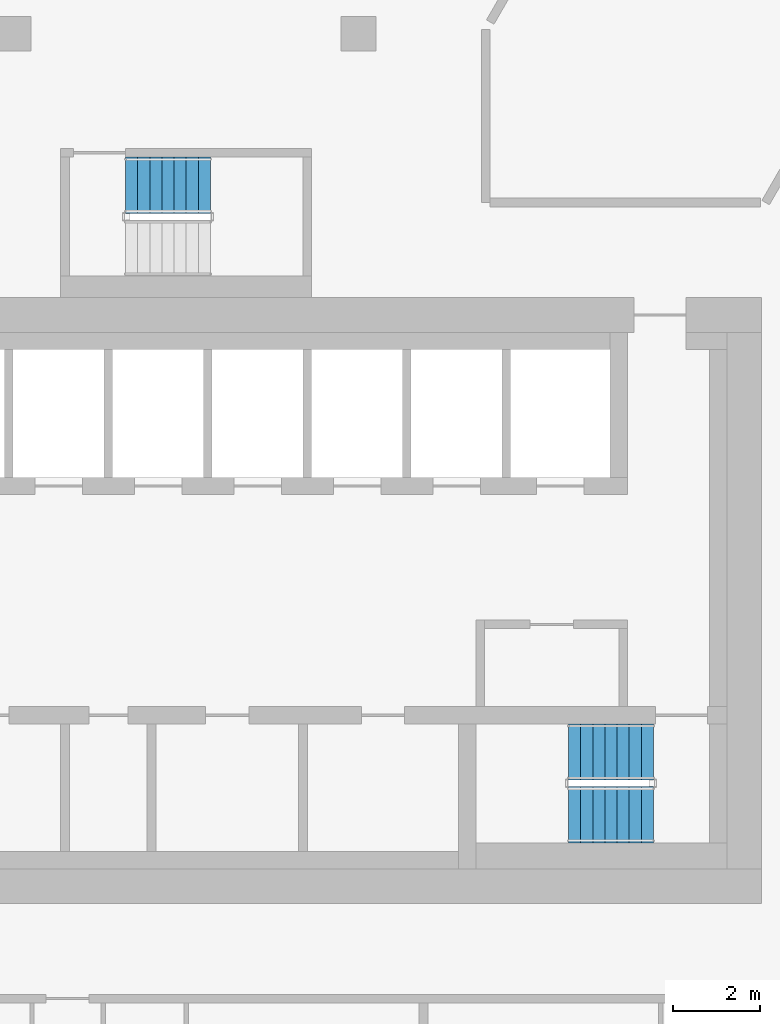
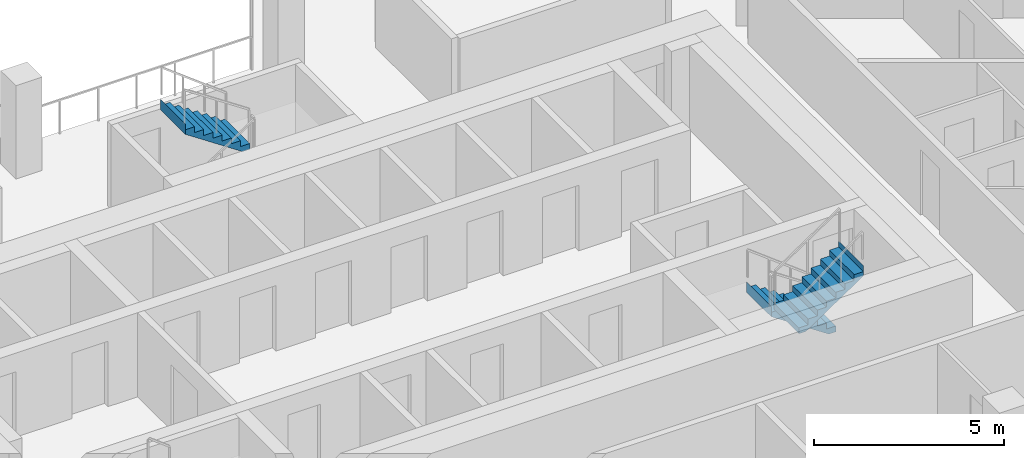
# One storey, part 13 of 17: 3 stair flights, 2 elements without a shape of their own.
"""IFC4 building model written with IfcOpenShell, lengths in metres."""

from ifc_helpers import new_model, si_unit, direction, frame, origin, place, context, subcontext, project, spatial, triangles, material, type_object, element, aggregate, save


model = new_model("IFC4")

# Units and contexts
model_context = context("Model", 3, precision=1e-05, world=origin(), true_north=direction((0.0, 1.0)))
body_context = subcontext(model_context, "Body", "Model", "MODEL_VIEW")
ifc_project = project(units=[si_unit("LENGTHUNIT", "METRE"), si_unit("AREAUNIT", "SQUARE_METRE"), si_unit("VOLUMEUNIT", "CUBIC_METRE"), si_unit("PLANEANGLEUNIT", "RADIAN"), si_unit("MASSUNIT", "GRAM", prefix="KILO")], contexts=[model_context])

# Site, building, storey
site_placement = place(None, origin())
site = spatial("IfcSite", under=ifc_project, at=site_placement, CompositionType="ELEMENT")
building_placement = place(site_placement, origin())
building = spatial("IfcBuilding", under=site, at=building_placement, Name="Beryl Residences", CompositionType="ELEMENT")
storey_placement = place(building_placement, frame((0.0, 0.0, 132.60009765625)))
storey = spatial("IfcBuildingStorey", under=building, at=storey_placement, Name="L40", CompositionType="ELEMENT", Elevation=132.60009765625)

# Stair, stair flights
ifc_material_1 = material(Name="Concrete C40/50", Category="concrete")
stair_type = type_object("IfcStairType", Name="ST1 protected exit stair, half-turn, 1300 mm flights", PredefinedType="HALF_TURN_STAIR", material=ifc_material_1)
stair_1_placement = place(storey_placement, origin())
stair_1 = element("IfcStair", 1, at=stair_1_placement, inside=storey, type_object=stair_type, Name="L40 PROTECTED EXIT STAIR ST-3", PredefinedType="HALF_TURN_STAIR")
ifc_material_2 = material(Name="Concrete C40/50", Category="concrete")
stair_flight_type = type_object("IfcStairFlightType", Name="SF1 stair flight 1300 mm", PredefinedType="STRAIGHT", material=ifc_material_2)
stair_flight_1_placement = place(storey_placement, frame((10.800048828125, -15.5, 0.0), z_axis=(0.0, 0.0, 1.0), x_axis=(-1.0, 0.0, 0.0)))
stair_flight_1 = element("IfcStairFlight", 2, at=stair_flight_1_placement, type_object=stair_flight_type, Name="ST-3 flight 1", NumberOfRisers=8, NumberOfTreads=7, PredefinedType="STRAIGHT", RiserHeight=0.1875, TreadLength=0.28, context=body_context, shape_type="Tessellation", body=[
    triangles([(0.0, -0.64990234375, 0.0), (0.0, -0.324951171875, 0.0), (0.0, 0.0, 0.0), (0.0, 0.324951171875, 0.0), (0.0, 0.64990234375, 0.0), (0.0, -0.64990234375, 0.1875), (0.0, -0.324951171875, 0.1875), (0.0, 0.0, 0.1875), (0.0, 0.324951171875, 0.1875), (0.0, 0.64990234375, 0.1875), (0.280029296875, -0.64990234375, 0.1875), (0.280029296875, -0.324951171875, 0.1875), (0.280029296875, 0.0, 0.1875), (0.280029296875, 0.324951171875, 0.1875), (0.280029296875, 0.64990234375, 0.1875), (0.280029296875, -0.64990234375, 0.375), (0.280029296875, -0.324951171875, 0.375), (0.280029296875, 0.0, 0.375), (0.280029296875, 0.324951171875, 0.375), (0.280029296875, 0.64990234375, 0.375), (0.56005859375, -0.64990234375, 0.375), (0.56005859375, -0.324951171875, 0.375), (0.56005859375, 0.0, 0.375), (0.56005859375, 0.324951171875, 0.375), (0.56005859375, 0.64990234375, 0.375), (0.56005859375, -0.64990234375, 0.5625), (0.56005859375, -0.324951171875, 0.5625), (0.56005859375, 0.0, 0.5625), (0.56005859375, 0.324951171875, 0.5625), (0.56005859375, 0.64990234375, 0.5625), (0.840087890625, -0.64990234375, 0.5625), (0.840087890625, -0.324951171875, 0.5625), (0.840087890625, 0.0, 0.5625), (0.840087890625, 0.324951171875, 0.5625), (0.840087890625, 0.64990234375, 0.5625), (0.840087890625, -0.64990234375, 0.75), (0.840087890625, -0.324951171875, 0.75), (0.840087890625, 0.0, 0.75), (0.840087890625, 0.324951171875, 0.75), (0.840087890625, 0.64990234375, 0.75), (1.1201171875, -0.64990234375, 0.75), (1.1201171875, -0.324951171875, 0.75), (1.1201171875, 0.0, 0.75), (1.1201171875, 0.324951171875, 0.75), (1.1201171875, 0.64990234375, 0.75), (1.1201171875, -0.64990234375, 0.9375), (1.1201171875, -0.324951171875, 0.9375), (1.1201171875, 0.0, 0.9375), (1.1201171875, 0.324951171875, 0.9375), (1.1201171875, 0.64990234375, 0.9375), (1.39990234375, -0.64990234375, 0.9375), (1.39990234375, -0.324951171875, 0.9375), (1.39990234375, 0.0, 0.9375), (1.39990234375, 0.324951171875, 0.9375), (1.39990234375, 0.64990234375, 0.9375), (1.39990234375, -0.64990234375, 1.125), (1.39990234375, -0.324951171875, 1.125), (1.39990234375, 0.0, 1.125), (1.39990234375, 0.324951171875, 1.125), (1.39990234375, 0.64990234375, 1.125), (1.679931640625, -0.64990234375, 1.125), (1.679931640625, -0.324951171875, 1.125), (1.679931640625, 0.0, 1.125), (1.679931640625, 0.324951171875, 1.125), (1.679931640625, 0.64990234375, 1.125), (1.679931640625, -0.64990234375, 1.3125), (1.679931640625, -0.324951171875, 1.3125), (1.679931640625, 0.0, 1.3125), (1.679931640625, 0.324951171875, 1.3125), (1.679931640625, 0.64990234375, 1.3125), (1.9599609375, -0.64990234375, 1.3125), (1.9599609375, -0.324951171875, 1.3125), (1.9599609375, 0.0, 1.3125), (1.9599609375, 0.324951171875, 1.3125), (1.9599609375, 0.64990234375, 1.3125), (1.9599609375, -0.64990234375, 1.5), (1.9599609375, -0.324951171875, 1.5), (1.9599609375, 0.0, 1.5), (1.9599609375, 0.324951171875, 1.5), (1.9599609375, 0.64990234375, 1.5), (1.9609375, -0.64990234375, 1.5), (1.9609375, -0.324951171875, 1.5), (1.9609375, 0.0, 1.5), (1.9609375, 0.324951171875, 1.5), (1.9609375, 0.64990234375, 1.5), (1.9609375, -0.64990234375, 1.16796875), (1.9609375, -0.324951171875, 1.16796875), (1.9609375, 0.0, 1.16796875), (1.9609375, 0.324951171875, 1.16796875), (1.9609375, 0.64990234375, 1.16796875), (0.216796875, -0.64990234375, 0.0), (0.216796875, -0.324951171875, 0.0), (0.216796875, 0.0, 0.0), (0.216796875, 0.324951171875, 0.0), (0.216796875, 0.64990234375, 0.0)], [[1, 6, 7], [1, 7, 2], [2, 7, 8], [2, 8, 3], [3, 8, 9], [3, 9, 4], [4, 9, 10], [4, 10, 5], [6, 11, 12], [6, 12, 7], [7, 12, 13], [7, 13, 8], [8, 13, 14], [8, 14, 9], [9, 14, 15], [9, 15, 10], [11, 16, 17], [11, 17, 12], [12, 17, 18], [12, 18, 13], [13, 18, 19], [13, 19, 14], [14, 19, 20], [14, 20, 15], [16, 21, 22], [16, 22, 17], [17, 22, 23], [17, 23, 18], [18, 23, 24], [18, 24, 19], [19, 24, 25], [19, 25, 20], [21, 26, 27], [21, 27, 22], [22, 27, 28], [22, 28, 23], [23, 28, 29], [23, 29, 24], [24, 29, 30], [24, 30, 25], [26, 31, 32], [26, 32, 27], [27, 32, 33], [27, 33, 28], [28, 33, 34], [28, 34, 29], [29, 34, 35], [29, 35, 30], [31, 36, 37], [31, 37, 32], [32, 37, 38], [32, 38, 33], [33, 38, 39], [33, 39, 34], [34, 39, 40], [34, 40, 35], [36, 41, 42], [36, 42, 37], [37, 42, 43], [37, 43, 38], [38, 43, 44], [38, 44, 39], [39, 44, 45], [39, 45, 40], [41, 46, 47], [41, 47, 42], [42, 47, 48], [42, 48, 43], [43, 48, 49], [43, 49, 44], [44, 49, 50], [44, 50, 45], [46, 51, 52], [46, 52, 47], [47, 52, 53], [47, 53, 48], [48, 53, 54], [48, 54, 49], [49, 54, 55], [49, 55, 50], [51, 56, 57], [51, 57, 52], [52, 57, 58], [52, 58, 53], [53, 58, 59], [53, 59, 54], [54, 59, 60], [54, 60, 55], [56, 61, 62], [56, 62, 57], [57, 62, 63], [57, 63, 58], [58, 63, 64], [58, 64, 59], [59, 64, 65], [59, 65, 60], [61, 66, 67], [61, 67, 62], [62, 67, 68], [62, 68, 63], [63, 68, 69], [63, 69, 64], [64, 69, 70], [64, 70, 65], [66, 71, 72], [66, 72, 67], [67, 72, 73], [67, 73, 68], [68, 73, 74], [68, 74, 69], [69, 74, 75], [69, 75, 70], [71, 76, 77], [71, 77, 72], [72, 77, 78], [72, 78, 73], [73, 78, 79], [73, 79, 74], [74, 79, 80], [74, 80, 75], [76, 81, 82], [76, 82, 77], [77, 82, 83], [77, 83, 78], [78, 83, 84], [78, 84, 79], [79, 84, 85], [79, 85, 80], [81, 86, 87], [81, 87, 82], [82, 87, 88], [82, 88, 83], [83, 88, 89], [83, 89, 84], [84, 89, 90], [84, 90, 85], [86, 91, 92], [86, 92, 87], [87, 92, 93], [87, 93, 88], [88, 93, 94], [88, 94, 89], [89, 94, 95], [89, 95, 90], [91, 1, 2], [91, 2, 92], [92, 2, 3], [92, 3, 93], [93, 3, 4], [93, 4, 94], [94, 4, 5], [94, 5, 95], [1, 91, 86], [5, 90, 95], [86, 81, 76], [90, 80, 85], [86, 76, 71], [90, 75, 80], [86, 71, 66], [90, 70, 75], [86, 66, 61], [90, 65, 70], [61, 56, 51], [65, 55, 60], [86, 61, 51], [90, 55, 65], [51, 46, 41], [55, 45, 50], [86, 51, 41], [90, 45, 55], [41, 36, 31], [45, 35, 40], [86, 41, 31], [90, 35, 45], [31, 26, 21], [35, 25, 30], [86, 31, 21], [90, 25, 35], [21, 16, 11], [25, 15, 20], [86, 21, 11], [90, 15, 25], [1, 86, 11], [5, 15, 90], [11, 6, 1], [15, 5, 10]], closed=True),
])
stair_flight_2_placement = place(storey_placement, frame((8.840087890625, -16.949951171875, 1.5), z_axis=(0.0, 0.0, 1.0), x_axis=(1.0, 0.0, 0.0)))
stair_flight_2 = element("IfcStairFlight", 3, at=stair_flight_2_placement, type_object=stair_flight_type, Name="ST-3 flight 2", NumberOfRisers=8, NumberOfTreads=7, PredefinedType="STRAIGHT", RiserHeight=0.1875, TreadLength=0.28, context=body_context, shape_type="Tessellation", body=[
    triangles([(0.0, -0.64990234375, 0.0), (0.0, -0.324951171875, 0.0), (0.0, 0.0, 0.0), (0.0, 0.324951171875, 0.0), (0.0, 0.64990234375, 0.0), (0.0, -0.64990234375, 0.1875), (0.0, -0.324951171875, 0.1875), (0.0, 0.0, 0.1875), (0.0, 0.324951171875, 0.1875), (0.0, 0.64990234375, 0.1875), (0.280029296875, -0.64990234375, 0.1875), (0.280029296875, -0.324951171875, 0.1875), (0.280029296875, 0.0, 0.1875), (0.280029296875, 0.324951171875, 0.1875), (0.280029296875, 0.64990234375, 0.1875), (0.280029296875, -0.64990234375, 0.375), (0.280029296875, -0.324951171875, 0.375), (0.280029296875, 0.0, 0.375), (0.280029296875, 0.324951171875, 0.375), (0.280029296875, 0.64990234375, 0.375), (0.56005859375, -0.64990234375, 0.375), (0.56005859375, -0.324951171875, 0.375), (0.56005859375, 0.0, 0.375), (0.56005859375, 0.324951171875, 0.375), (0.56005859375, 0.64990234375, 0.375), (0.56005859375, -0.64990234375, 0.5625), (0.56005859375, -0.324951171875, 0.5625), (0.56005859375, 0.0, 0.5625), (0.56005859375, 0.324951171875, 0.5625), (0.56005859375, 0.64990234375, 0.5625), (0.840087890625, -0.64990234375, 0.5625), (0.840087890625, -0.324951171875, 0.5625), (0.840087890625, 0.0, 0.5625), (0.840087890625, 0.324951171875, 0.5625), (0.840087890625, 0.64990234375, 0.5625), (0.840087890625, -0.64990234375, 0.75), (0.840087890625, -0.324951171875, 0.75), (0.840087890625, 0.0, 0.75), (0.840087890625, 0.324951171875, 0.75), (0.840087890625, 0.64990234375, 0.75), (1.1201171875, -0.64990234375, 0.75), (1.1201171875, -0.324951171875, 0.75), (1.1201171875, 0.0, 0.75), (1.1201171875, 0.324951171875, 0.75), (1.1201171875, 0.64990234375, 0.75), (1.1201171875, -0.64990234375, 0.9375), (1.1201171875, -0.324951171875, 0.9375), (1.1201171875, 0.0, 0.9375), (1.1201171875, 0.324951171875, 0.9375), (1.1201171875, 0.64990234375, 0.9375), (1.39990234375, -0.64990234375, 0.9375), (1.39990234375, -0.324951171875, 0.9375), (1.39990234375, 0.0, 0.9375), (1.39990234375, 0.324951171875, 0.9375), (1.39990234375, 0.64990234375, 0.9375), (1.39990234375, -0.64990234375, 1.125), (1.39990234375, -0.324951171875, 1.125), (1.39990234375, 0.0, 1.125), (1.39990234375, 0.324951171875, 1.125), (1.39990234375, 0.64990234375, 1.125), (1.679931640625, -0.64990234375, 1.125), (1.679931640625, -0.324951171875, 1.125), (1.679931640625, 0.0, 1.125), (1.679931640625, 0.324951171875, 1.125), (1.679931640625, 0.64990234375, 1.125), (1.679931640625, -0.64990234375, 1.3125), (1.679931640625, -0.324951171875, 1.3125), (1.679931640625, 0.0, 1.3125), (1.679931640625, 0.324951171875, 1.3125), (1.679931640625, 0.64990234375, 1.3125), (1.9599609375, -0.64990234375, 1.3125), (1.9599609375, -0.324951171875, 1.3125), (1.9599609375, 0.0, 1.3125), (1.9599609375, 0.324951171875, 1.3125), (1.9599609375, 0.64990234375, 1.3125), (1.9599609375, -0.64990234375, 1.5), (1.9599609375, -0.324951171875, 1.5), (1.9599609375, 0.0, 1.5), (1.9599609375, 0.324951171875, 1.5), (1.9599609375, 0.64990234375, 1.5), (1.9609375, -0.64990234375, 1.5), (1.9609375, -0.324951171875, 1.5), (1.9609375, 0.0, 1.5), (1.9609375, 0.324951171875, 1.5), (1.9609375, 0.64990234375, 1.5), (1.9609375, -0.64990234375, 1.16796875), (1.9609375, -0.324951171875, 1.16796875), (1.9609375, 0.0, 1.16796875), (1.9609375, 0.324951171875, 1.16796875), (1.9609375, 0.64990234375, 1.16796875), (0.216796875, -0.64990234375, 0.0), (0.216796875, -0.324951171875, 0.0), (0.216796875, 0.0, 0.0), (0.216796875, 0.324951171875, 0.0), (0.216796875, 0.64990234375, 0.0)], [[1, 6, 7], [1, 7, 2], [2, 7, 8], [2, 8, 3], [3, 8, 9], [3, 9, 4], [4, 9, 10], [4, 10, 5], [6, 11, 12], [6, 12, 7], [7, 12, 13], [7, 13, 8], [8, 13, 14], [8, 14, 9], [9, 14, 15], [9, 15, 10], [11, 16, 17], [11, 17, 12], [12, 17, 18], [12, 18, 13], [13, 18, 19], [13, 19, 14], [14, 19, 20], [14, 20, 15], [16, 21, 22], [16, 22, 17], [17, 22, 23], [17, 23, 18], [18, 23, 24], [18, 24, 19], [19, 24, 25], [19, 25, 20], [21, 26, 27], [21, 27, 22], [22, 27, 28], [22, 28, 23], [23, 28, 29], [23, 29, 24], [24, 29, 30], [24, 30, 25], [26, 31, 32], [26, 32, 27], [27, 32, 33], [27, 33, 28], [28, 33, 34], [28, 34, 29], [29, 34, 35], [29, 35, 30], [31, 36, 37], [31, 37, 32], [32, 37, 38], [32, 38, 33], [33, 38, 39], [33, 39, 34], [34, 39, 40], [34, 40, 35], [36, 41, 42], [36, 42, 37], [37, 42, 43], [37, 43, 38], [38, 43, 44], [38, 44, 39], [39, 44, 45], [39, 45, 40], [41, 46, 47], [41, 47, 42], [42, 47, 48], [42, 48, 43], [43, 48, 49], [43, 49, 44], [44, 49, 50], [44, 50, 45], [46, 51, 52], [46, 52, 47], [47, 52, 53], [47, 53, 48], [48, 53, 54], [48, 54, 49], [49, 54, 55], [49, 55, 50], [51, 56, 57], [51, 57, 52], [52, 57, 58], [52, 58, 53], [53, 58, 59], [53, 59, 54], [54, 59, 60], [54, 60, 55], [56, 61, 62], [56, 62, 57], [57, 62, 63], [57, 63, 58], [58, 63, 64], [58, 64, 59], [59, 64, 65], [59, 65, 60], [61, 66, 67], [61, 67, 62], [62, 67, 68], [62, 68, 63], [63, 68, 69], [63, 69, 64], [64, 69, 70], [64, 70, 65], [66, 71, 72], [66, 72, 67], [67, 72, 73], [67, 73, 68], [68, 73, 74], [68, 74, 69], [69, 74, 75], [69, 75, 70], [71, 76, 77], [71, 77, 72], [72, 77, 78], [72, 78, 73], [73, 78, 79], [73, 79, 74], [74, 79, 80], [74, 80, 75], [76, 81, 82], [76, 82, 77], [77, 82, 83], [77, 83, 78], [78, 83, 84], [78, 84, 79], [79, 84, 85], [79, 85, 80], [81, 86, 87], [81, 87, 82], [82, 87, 88], [82, 88, 83], [83, 88, 89], [83, 89, 84], [84, 89, 90], [84, 90, 85], [86, 91, 92], [86, 92, 87], [87, 92, 93], [87, 93, 88], [88, 93, 94], [88, 94, 89], [89, 94, 95], [89, 95, 90], [91, 1, 2], [91, 2, 92], [92, 2, 3], [92, 3, 93], [93, 3, 4], [93, 4, 94], [94, 4, 5], [94, 5, 95], [1, 91, 86], [5, 90, 95], [86, 81, 76], [90, 80, 85], [86, 76, 71], [90, 75, 80], [86, 71, 66], [90, 70, 75], [86, 66, 61], [90, 65, 70], [61, 56, 51], [65, 55, 60], [86, 61, 51], [90, 55, 65], [51, 46, 41], [55, 45, 50], [86, 51, 41], [90, 45, 55], [41, 36, 31], [45, 35, 40], [86, 41, 31], [90, 35, 45], [31, 26, 21], [35, 25, 30], [86, 31, 21], [90, 25, 35], [21, 16, 11], [25, 15, 20], [86, 21, 11], [90, 15, 25], [1, 86, 11], [5, 15, 90], [11, 6, 1], [15, 5, 10]], closed=True),
])
aggregate(stair_1, [stair_flight_1, stair_flight_2])

# Stair, stair flight
stair_2_placement = place(storey_placement, origin())
stair_2 = element("IfcStair", 4, at=stair_2_placement, inside=storey, type_object=stair_type, Name="L40 PROTECTED EXIT STAIR ST-4", PredefinedType="HALF_TURN_STAIR")
stair_flight_3_placement = place(storey_placement, frame((0.56005859375, -2.39990234375, 1.5), z_axis=(0.0, 0.0, 1.0), x_axis=(-1.0, 0.0, 0.0)))
stair_flight_3 = element("IfcStairFlight", 5, at=stair_flight_3_placement, type_object=stair_flight_type, Name="ST-4 flight 2", NumberOfRisers=8, NumberOfTreads=7, PredefinedType="STRAIGHT", RiserHeight=0.1875, TreadLength=0.28, context=body_context, shape_type="Tessellation", body=[
    triangles([(0.0, -0.64990234375, 0.0), (0.0, -0.324951171875, 0.0), (0.0, 0.0, 0.0), (0.0, 0.324951171875, 0.0), (0.0, 0.64990234375, 0.0), (0.0, -0.64990234375, 0.1875), (0.0, -0.324951171875, 0.1875), (0.0, 0.0, 0.1875), (0.0, 0.324951171875, 0.1875), (0.0, 0.64990234375, 0.1875), (0.280029296875, -0.64990234375, 0.1875), (0.280029296875, -0.324951171875, 0.1875), (0.280029296875, 0.0, 0.1875), (0.280029296875, 0.324951171875, 0.1875), (0.280029296875, 0.64990234375, 0.1875), (0.280029296875, -0.64990234375, 0.375), (0.280029296875, -0.324951171875, 0.375), (0.280029296875, 0.0, 0.375), (0.280029296875, 0.324951171875, 0.375), (0.280029296875, 0.64990234375, 0.375), (0.56005859375, -0.64990234375, 0.375), (0.56005859375, -0.324951171875, 0.375), (0.56005859375, 0.0, 0.375), (0.56005859375, 0.324951171875, 0.375), (0.56005859375, 0.64990234375, 0.375), (0.56005859375, -0.64990234375, 0.5625), (0.56005859375, -0.324951171875, 0.5625), (0.56005859375, 0.0, 0.5625), (0.56005859375, 0.324951171875, 0.5625), (0.56005859375, 0.64990234375, 0.5625), (0.840087890625, -0.64990234375, 0.5625), (0.840087890625, -0.324951171875, 0.5625), (0.840087890625, 0.0, 0.5625), (0.840087890625, 0.324951171875, 0.5625), (0.840087890625, 0.64990234375, 0.5625), (0.840087890625, -0.64990234375, 0.75), (0.840087890625, -0.324951171875, 0.75), (0.840087890625, 0.0, 0.75), (0.840087890625, 0.324951171875, 0.75), (0.840087890625, 0.64990234375, 0.75), (1.1201171875, -0.64990234375, 0.75), (1.1201171875, -0.324951171875, 0.75), (1.1201171875, 0.0, 0.75), (1.1201171875, 0.324951171875, 0.75), (1.1201171875, 0.64990234375, 0.75), (1.1201171875, -0.64990234375, 0.9375), (1.1201171875, -0.324951171875, 0.9375), (1.1201171875, 0.0, 0.9375), (1.1201171875, 0.324951171875, 0.9375), (1.1201171875, 0.64990234375, 0.9375), (1.39990234375, -0.64990234375, 0.9375), (1.39990234375, -0.324951171875, 0.9375), (1.39990234375, 0.0, 0.9375), (1.39990234375, 0.324951171875, 0.9375), (1.39990234375, 0.64990234375, 0.9375), (1.39990234375, -0.64990234375, 1.125), (1.39990234375, -0.324951171875, 1.125), (1.39990234375, 0.0, 1.125), (1.39990234375, 0.324951171875, 1.125), (1.39990234375, 0.64990234375, 1.125), (1.679931640625, -0.64990234375, 1.125), (1.679931640625, -0.324951171875, 1.125), (1.679931640625, 0.0, 1.125), (1.679931640625, 0.324951171875, 1.125), (1.679931640625, 0.64990234375, 1.125), (1.679931640625, -0.64990234375, 1.3125), (1.679931640625, -0.324951171875, 1.3125), (1.679931640625, 0.0, 1.3125), (1.679931640625, 0.324951171875, 1.3125), (1.679931640625, 0.64990234375, 1.3125), (1.9599609375, -0.64990234375, 1.3125), (1.9599609375, -0.324951171875, 1.3125), (1.9599609375, 0.0, 1.3125), (1.9599609375, 0.324951171875, 1.3125), (1.9599609375, 0.64990234375, 1.3125), (1.9599609375, -0.64990234375, 1.5), (1.9599609375, -0.324951171875, 1.5), (1.9599609375, 0.0, 1.5), (1.9599609375, 0.324951171875, 1.5), (1.9599609375, 0.64990234375, 1.5), (1.9609375, -0.64990234375, 1.5), (1.9609375, -0.324951171875, 1.5), (1.9609375, 0.0, 1.5), (1.9609375, 0.324951171875, 1.5), (1.9609375, 0.64990234375, 1.5), (1.9609375, -0.64990234375, 1.16796875), (1.9609375, -0.324951171875, 1.16796875), (1.9609375, 0.0, 1.16796875), (1.9609375, 0.324951171875, 1.16796875), (1.9609375, 0.64990234375, 1.16796875), (0.216796875, -0.64990234375, 0.0), (0.216796875, -0.324951171875, 0.0), (0.216796875, 0.0, 0.0), (0.216796875, 0.324951171875, 0.0), (0.216796875, 0.64990234375, 0.0)], [[1, 6, 7], [1, 7, 2], [2, 7, 8], [2, 8, 3], [3, 8, 9], [3, 9, 4], [4, 9, 10], [4, 10, 5], [6, 11, 12], [6, 12, 7], [7, 12, 13], [7, 13, 8], [8, 13, 14], [8, 14, 9], [9, 14, 15], [9, 15, 10], [11, 16, 17], [11, 17, 12], [12, 17, 18], [12, 18, 13], [13, 18, 19], [13, 19, 14], [14, 19, 20], [14, 20, 15], [16, 21, 22], [16, 22, 17], [17, 22, 23], [17, 23, 18], [18, 23, 24], [18, 24, 19], [19, 24, 25], [19, 25, 20], [21, 26, 27], [21, 27, 22], [22, 27, 28], [22, 28, 23], [23, 28, 29], [23, 29, 24], [24, 29, 30], [24, 30, 25], [26, 31, 32], [26, 32, 27], [27, 32, 33], [27, 33, 28], [28, 33, 34], [28, 34, 29], [29, 34, 35], [29, 35, 30], [31, 36, 37], [31, 37, 32], [32, 37, 38], [32, 38, 33], [33, 38, 39], [33, 39, 34], [34, 39, 40], [34, 40, 35], [36, 41, 42], [36, 42, 37], [37, 42, 43], [37, 43, 38], [38, 43, 44], [38, 44, 39], [39, 44, 45], [39, 45, 40], [41, 46, 47], [41, 47, 42], [42, 47, 48], [42, 48, 43], [43, 48, 49], [43, 49, 44], [44, 49, 50], [44, 50, 45], [46, 51, 52], [46, 52, 47], [47, 52, 53], [47, 53, 48], [48, 53, 54], [48, 54, 49], [49, 54, 55], [49, 55, 50], [51, 56, 57], [51, 57, 52], [52, 57, 58], [52, 58, 53], [53, 58, 59], [53, 59, 54], [54, 59, 60], [54, 60, 55], [56, 61, 62], [56, 62, 57], [57, 62, 63], [57, 63, 58], [58, 63, 64], [58, 64, 59], [59, 64, 65], [59, 65, 60], [61, 66, 67], [61, 67, 62], [62, 67, 68], [62, 68, 63], [63, 68, 69], [63, 69, 64], [64, 69, 70], [64, 70, 65], [66, 71, 72], [66, 72, 67], [67, 72, 73], [67, 73, 68], [68, 73, 74], [68, 74, 69], [69, 74, 75], [69, 75, 70], [71, 76, 77], [71, 77, 72], [72, 77, 78], [72, 78, 73], [73, 78, 79], [73, 79, 74], [74, 79, 80], [74, 80, 75], [76, 81, 82], [76, 82, 77], [77, 82, 83], [77, 83, 78], [78, 83, 84], [78, 84, 79], [79, 84, 85], [79, 85, 80], [81, 86, 87], [81, 87, 82], [82, 87, 88], [82, 88, 83], [83, 88, 89], [83, 89, 84], [84, 89, 90], [84, 90, 85], [86, 91, 92], [86, 92, 87], [87, 92, 93], [87, 93, 88], [88, 93, 94], [88, 94, 89], [89, 94, 95], [89, 95, 90], [91, 1, 2], [91, 2, 92], [92, 2, 3], [92, 3, 93], [93, 3, 4], [93, 4, 94], [94, 4, 5], [94, 5, 95], [1, 91, 86], [5, 90, 95], [86, 81, 76], [90, 80, 85], [86, 76, 71], [90, 75, 80], [86, 71, 66], [90, 70, 75], [86, 66, 61], [90, 65, 70], [61, 56, 51], [65, 55, 60], [86, 61, 51], [90, 55, 65], [51, 46, 41], [55, 45, 50], [86, 51, 41], [90, 45, 55], [41, 36, 31], [45, 35, 40], [86, 41, 31], [90, 35, 45], [31, 26, 21], [35, 25, 30], [86, 31, 21], [90, 25, 35], [21, 16, 11], [25, 15, 20], [86, 21, 11], [90, 15, 25], [1, 86, 11], [5, 15, 90], [11, 6, 1], [15, 5, 10]], closed=True),
])
aggregate(stair_2, [stair_flight_3])

save(model, "model.ifc")
